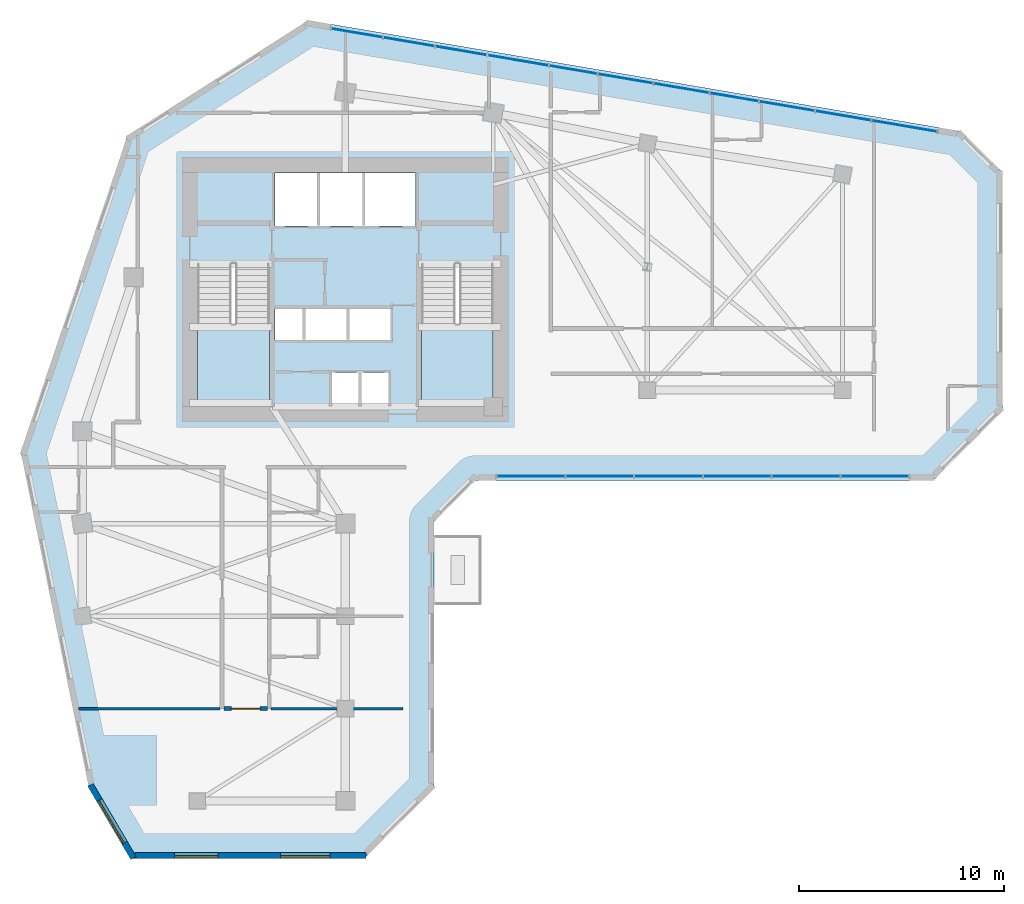
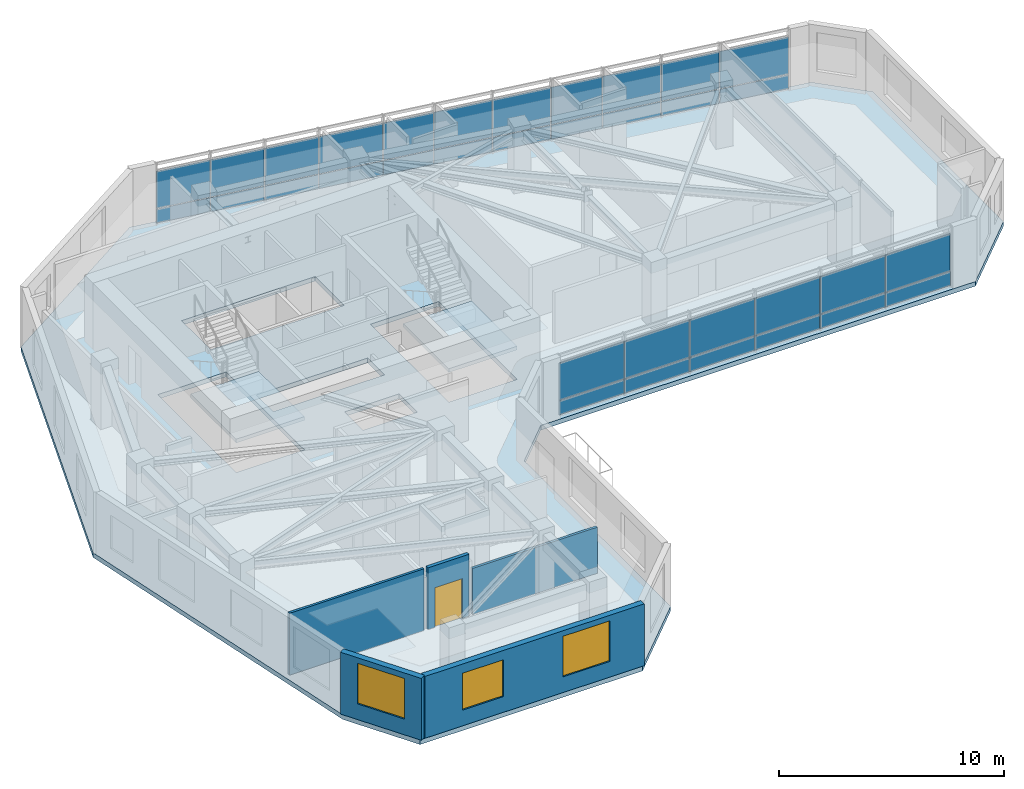
# One storey, part 3 of 10: 34 plates, 5 walls, 3 slabs, 3 windows, 1 door, 4 openings, 4 elements without a shape of their own.
"""IFC4 building model written with IfcOpenShell, lengths in metres."""

import ifcopenshell
import ifcopenshell.guid

model = None  # the IFC model being written
_history = None  # IfcOwnerHistory: only IFC2X3 demands one
_inside = {}  # id of a spatial element -> (the spatial element, [elements in it])
_under = {}  # id of a project, library or spatial element -> (it, [spatial elements below it])
_declared = {}  # id of a project -> (the project, [libraries it declares])
_typed = {}  # id of a type object -> (the type object, [elements of that type])
_made_of = {}  # id of a material, layer set ... -> (it, [elements and type objects made of it])


def new_model(schema):
    """Start an empty IFC model of exactly this schema.

    Asked for "IFC4X3", IfcOpenShell would pick the latest addendum, in which some entities
    have other attributes; the version numbers below select the first issue.
    IFC2X3 requires an IfcOwnerHistory on every rooted entity: one is made here for all.
    """
    global model, _history
    if schema == "IFC4X3":
        model = ifcopenshell.file(schema_version=(4, 3, 0, 0))
    else:
        model = ifcopenshell.file(schema=schema)
    _inside.clear()
    _under.clear()
    _declared.clear()
    _typed.clear()
    _made_of.clear()
    _history = None
    if model.schema == "IFC2X3":
        org = make("IfcOrganization", Name="unknown")
        user = make(
            "IfcPersonAndOrganization",
            ThePerson=make("IfcPerson", FamilyName="unknown"),
            TheOrganization=org,
        )
        app = make(
            "IfcApplication",
            ApplicationDeveloper=org,
            Version="unknown",
            ApplicationFullName="unknown",
            ApplicationIdentifier="unknown",
        )
        _history = make(
            "IfcOwnerHistory",
            OwningUser=user,
            OwningApplication=app,
            ChangeAction="ADDED",
            CreationDate=0,
        )
    return model


def make(cls, **values):
    """One entity of the class cls with the attributes given. An attribute that is None is left unset."""
    return model.create_entity(
        cls, **{name: value for name, value in values.items() if value is not None}
    )


def rooted(cls, **values):
    """An entity with a GlobalId (a new one), such as an element, a storey or a relation."""
    return make(cls, GlobalId=ifcopenshell.guid.new(), OwnerHistory=_history, **values)


def si_unit(unit_type, name, prefix=None):
    """IfcSIUnit, for example si_unit("LENGTHUNIT", "METRE", prefix="MILLI")."""
    return make("IfcSIUnit", UnitType=unit_type, Prefix=prefix, Name=name)


def assignment(units):
    """IfcUnitAssignment: the units of a project."""
    return None if units is None else make("IfcUnitAssignment", Units=units)


def point(xyz):
    """IfcCartesianPoint."""
    return None if xyz is None else make("IfcCartesianPoint", Coordinates=xyz)


def direction(xyz):
    """IfcDirection."""
    return None if xyz is None else make("IfcDirection", DirectionRatios=xyz)


def frame(location, z_axis=None, x_axis=None):
    """IfcAxis2Placement3D, a coordinate frame: its origin and axes. An axis left out is left unset."""
    return make(
        "IfcAxis2Placement3D",
        Location=point(location),
        Axis=direction(z_axis),
        RefDirection=direction(x_axis),
    )


def frame_2d(location, x_axis=None):
    """IfcAxis2Placement2D, a coordinate frame in the plane: its origin and x axis."""
    return make(
        "IfcAxis2Placement2D", Location=point(location), RefDirection=direction(x_axis)
    )


def origin():
    """The frame at (0, 0, 0) with its axes left unset."""
    return frame((0.0, 0.0, 0.0))


def place(relative_to, where):
    """IfcLocalPlacement: puts the frame where relative to a parent placement (None: the world)."""
    return make(
        "IfcLocalPlacement", PlacementRelTo=relative_to, RelativePlacement=where
    )


def context(
    kind, dimensions, precision=None, world=None, true_north=None, identifier=None
):
    """IfcGeometricRepresentationContext, for example the 3D "Model" context."""
    return make(
        "IfcGeometricRepresentationContext",
        ContextIdentifier=identifier,
        ContextType=kind,
        CoordinateSpaceDimension=dimensions,
        Precision=precision,
        WorldCoordinateSystem=world,
        TrueNorth=true_north,
    )


def subcontext(parent, identifier, kind, view, scale=None):
    """IfcGeometricRepresentationSubContext, for example "Body" below "Model"."""
    return make(
        "IfcGeometricRepresentationSubContext",
        ContextIdentifier=identifier,
        ContextType=kind,
        ParentContext=parent,
        TargetScale=scale,
        TargetView=view,
    )


def project(units=None, contexts=None):
    """IfcProject with its units and contexts."""
    return rooted(
        "IfcProject",
        Name="project",
        RepresentationContexts=contexts,
        UnitsInContext=assignment(units),
    )


def spatial(cls, under=None, at=None, **own):
    """A site, building, storey or space (cls), placed at a placement, below another one or the project."""
    s = rooted(cls, ObjectPlacement=at, **own)
    if under is not None:
        _under.setdefault(under.id(), (under, []))[1].append(s)
    return s


def polyline(points):
    """IfcPolyline through the points."""
    return make("IfcPolyline", Points=[point(p) for p in points])


def profile(cls, at=None, kind="AREA", **sizes):
    """A parametric profile (cls). Its sizes go by their IFC names, for example OverallWidth=200.0."""
    return make(cls, ProfileType=kind, Position=at, **sizes)


def rectangle(**sizes):
    """IfcRectangleProfileDef."""
    return profile("IfcRectangleProfileDef", **sizes)


def outline(outer, holes=None, kind="AREA"):
    """IfcArbitraryClosedProfileDef: a profile drawn as a closed curve; with holes, ...WithVoids."""
    if holes is None:
        return make("IfcArbitraryClosedProfileDef", ProfileType=kind, OuterCurve=outer)
    return make(
        "IfcArbitraryProfileDefWithVoids",
        ProfileType=kind,
        OuterCurve=outer,
        InnerCurves=holes,
    )


def extrude(swept, where, along, depth):
    """IfcExtrudedAreaSolid: the profile swept, set in the frame where, extruded along a direction by depth."""
    return make(
        "IfcExtrudedAreaSolid",
        SweptArea=swept,
        Position=where,
        ExtrudedDirection=direction(along),
        Depth=depth,
    )


def shape(context_of_items, identifier, shape_type, items):
    """IfcShapeRepresentation: the items that make up one representation, for example the "Body"."""
    return make(
        "IfcShapeRepresentation",
        ContextOfItems=context_of_items,
        RepresentationIdentifier=identifier,
        RepresentationType=shape_type,
        Items=items,
    )


def source(mapping_origin, context_of_items, identifier, shape_type, items):
    """IfcRepresentationMap: a shape defined once, which mapped items show again and again."""
    return make(
        "IfcRepresentationMap",
        MappingOrigin=mapping_origin,
        MappedRepresentation=shape(context_of_items, identifier, shape_type, items),
    )


def transform(
    local_origin,
    x_axis=None,
    y_axis=None,
    z_axis=None,
    scale=None,
    scale2=None,
    scale3=None,
    uniform=True,
):
    """IfcCartesianTransformationOperator3D, or its non-uniform kind. x_axis, y_axis, z_axis: its Axis1, 2, 3."""
    if uniform:
        return make(
            "IfcCartesianTransformationOperator3D",
            Axis1=direction(x_axis),
            Axis2=direction(y_axis),
            LocalOrigin=point(local_origin),
            Scale=scale,
            Axis3=direction(z_axis),
        )
    return make(
        "IfcCartesianTransformationOperator3DnonUniform",
        Axis1=direction(x_axis),
        Axis2=direction(y_axis),
        LocalOrigin=point(local_origin),
        Scale=scale,
        Axis3=direction(z_axis),
        Scale2=scale2,
        Scale3=scale3,
    )


def mapped(mapping_source, mapping_target):
    """IfcMappedItem: shows the shape of a source again, moved by a transform."""
    return make(
        "IfcMappedItem", MappingSource=mapping_source, MappingTarget=mapping_target
    )


def material(Name=None, Category=None):
    """IfcMaterial."""
    return make("IfcMaterial", Name=Name, Category=Category)


def layer(
    of_material, thickness, ventilated=None, Name=None, Category=None, Priority=None
):
    """IfcMaterialLayer: one layer of a wall or slab, of a material (None: an air gap)."""
    return make(
        "IfcMaterialLayer",
        Material=of_material,
        LayerThickness=thickness,
        IsVentilated=ventilated,
        Name=Name,
        Category=Category,
        Priority=Priority,
    )


def layer_set(layers, Name=None):
    """IfcMaterialLayerSet."""
    return make("IfcMaterialLayerSet", MaterialLayers=layers, LayerSetName=Name)


def made_of(thing, what):
    """Note that an element or type object is made of a material, layer set ...; save() writes the relation."""
    if what is not None:
        _made_of.setdefault(what.id(), (what, []))[1].append(thing)
    return thing


def type_object(cls, material=None, **own):
    """A type object (cls), such as IfcWallType, which elements share."""
    return made_of(rooted(cls, **own), material)


def element(
    cls,
    number,
    at=None,
    inside=None,
    cuts=None,
    type_object=None,
    material=None,
    context=None,
    identifier="Body",
    shape_type=None,
    held_by="IfcProductDefinitionShape",
    body=None,
    shapes=None,
    **own,
):
    """One element of the class cls, such as IfcWall. Its Tag is "e" and its number.

    at: its placement. inside: the storey or other place that contains it. cuts: it is an
    opening in that element (IfcRelVoidsElement). A single representation is given by context,
    identifier, shape_type and body (its items); several are given by shapes. held_by: the class
    of the entity that holds the representations. save() writes the other relations.
    """
    e = rooted(cls, Tag="e%d" % number, ObjectPlacement=at, **own)
    if body is not None:
        shapes = [shape(context, identifier, shape_type, body)]
    if shapes is not None:
        e.Representation = make(held_by, Representations=shapes)
    if inside is not None:
        _inside.setdefault(inside.id(), (inside, []))[1].append(e)
    if cuts is not None:
        rooted(
            "IfcRelVoidsElement", RelatingBuildingElement=cuts, RelatedOpeningElement=e
        )
    if type_object is not None:
        _typed.setdefault(type_object.id(), (type_object, []))[1].append(e)
    return made_of(e, material)


def fill(opening, filler):
    """IfcRelFillsElement: the door or window that sits in an opening."""
    return rooted(
        "IfcRelFillsElement",
        RelatingOpeningElement=opening,
        RelatedBuildingElement=filler,
    )


def aggregate(whole, parts):
    """IfcRelAggregates: a whole, such as a stair, and the parts it consists of."""
    return rooted("IfcRelAggregates", RelatingObject=whole, RelatedObjects=parts)


def save(model, path):
    """Write the relations noted so far, then the file.

    IfcRelAggregates (storeys below a building ...), IfcRelContainedInSpatialStructure (elements
    in a storey), IfcRelDefinesByType, IfcRelAssociatesMaterial and IfcRelDeclares: one each for
    every whole, place, type object, material and project.
    """
    for whole, parts in _under.values():
        aggregate(whole, parts)
    for where, things in _inside.values():
        rooted(
            "IfcRelContainedInSpatialStructure",
            RelatedElements=things,
            RelatingStructure=where,
        )
    for kind, things in _typed.values():
        rooted("IfcRelDefinesByType", RelatedObjects=things, RelatingType=kind)
    for what, things in _made_of.values():
        rooted("IfcRelAssociatesMaterial", RelatedObjects=things, RelatingMaterial=what)
    for by, libraries in _declared.values():
        rooted("IfcRelDeclares", RelatingContext=by, RelatedDefinitions=libraries)
    model.write(path)


model = new_model("IFC4")

# Units and contexts
model_context = context("Model", 3, precision=1e-05, world=origin(), true_north=direction((0.0, 1.0)))
body_context = subcontext(model_context, "Body", "Model", "MODEL_VIEW")
ifc_project = project(units=[si_unit("LENGTHUNIT", "METRE"), si_unit("AREAUNIT", "SQUARE_METRE"), si_unit("VOLUMEUNIT", "CUBIC_METRE"), si_unit("PLANEANGLEUNIT", "RADIAN"), si_unit("MASSUNIT", "GRAM", prefix="KILO")], contexts=[model_context])

# Site, building, storey
site_placement = place(None, origin())
site = spatial("IfcSite", under=ifc_project, at=site_placement, CompositionType="ELEMENT")
building_placement = place(site_placement, origin())
building = spatial("IfcBuilding", under=site, at=building_placement, Name="Calvemar Wedge Station Tower", CompositionType="ELEMENT")
storey_placement = place(building_placement, frame((0.0, 0.0, 150.199951171875)))
storey = spatial("IfcBuildingStorey", under=building, at=storey_placement, Name="L37", CompositionType="ELEMENT", Elevation=150.199951171875)

# Curtain wall, plates
ifc_material_1 = material(Name="Anodised aluminium 6063-T6", Category="aluminium")
curtain_wall_type = type_object("IfcCurtainWallType", Name="CW2", PredefinedType="NOTDEFINED", material=ifc_material_1)
curtain_wall_1_placement = place(storey_placement, origin())
curtain_wall_1 = element("IfcCurtainWall", 1, at=curtain_wall_1_placement, inside=storey, type_object=curtain_wall_type, Name="Storey L37 CW2 Recessed Unitised Curtain Wall 6", PredefinedType="NOTDEFINED")
ifc_material_2 = material(Name="Low-E laminated insulated glass", Category="glass")
ifc_layer_1 = layer(ifc_material_2, 0.028076171875)
ifc_layer_set_1 = layer_set([ifc_layer_1], Name="Low-E laminated insulated glass")
plate_type_1 = type_object("IfcPlateType", Name="CW2-GLZ", PredefinedType="CURTAIN_PANEL", material=ifc_layer_set_1)
plate_1_placement = place(storey_placement, frame((31.183837890625, 30.802001953125, 0.8701171875), z_axis=(0.0, 0.0, 1.0), x_axis=(1.0, 0.0, 0.0)))
plate_1 = element("IfcPlate", 2, at=plate_1_placement, type_object=plate_type_1, Name="CW2 vision glass panel 1", PredefinedType="CURTAIN_PANEL", context=body_context, shape_type="SweptSolid", body=[
    extrude(rectangle(XDim=3.309326171875, YDim=0.028076171875, at=frame_2d((1.65478515625, 0.0))), origin(), (0.0, 0.0, 1.0), 2.010009765625),
])
plate_2_placement = place(storey_placement, frame((34.529296875, 30.802001953125, 0.8701171875), z_axis=(0.0, 0.0, 1.0), x_axis=(1.0, 0.0, 0.0)))
plate_2 = element("IfcPlate", 3, at=plate_2_placement, type_object=plate_type_1, Name="CW2 vision glass panel 2", PredefinedType="CURTAIN_PANEL", context=body_context, shape_type="SweptSolid", body=[
    extrude(rectangle(XDim=3.309326171875, YDim=0.028076171875, at=frame_2d((1.65478515625, 0.0))), origin(), (0.0, 0.0, 1.0), 2.010009765625),
])
plate_3_placement = place(storey_placement, frame((37.87451171875, 30.802001953125, 0.8701171875), z_axis=(0.0, 0.0, 1.0), x_axis=(1.0, 0.0, 0.0)))
plate_3 = element("IfcPlate", 4, at=plate_3_placement, type_object=plate_type_1, Name="CW2 vision glass panel 3", PredefinedType="CURTAIN_PANEL", context=body_context, shape_type="SweptSolid", body=[
    extrude(rectangle(XDim=3.309326171875, YDim=0.028076171875, at=frame_2d((1.65478515625, 0.0))), origin(), (0.0, 0.0, 1.0), 2.010009765625),
])
plate_4_placement = place(storey_placement, frame((41.219970703125, 30.802001953125, 0.8701171875), z_axis=(0.0, 0.0, 1.0), x_axis=(1.0, 0.0, 0.0)))
plate_4 = element("IfcPlate", 5, at=plate_4_placement, type_object=plate_type_1, Name="CW2 vision glass panel 4", PredefinedType="CURTAIN_PANEL", context=body_context, shape_type="SweptSolid", body=[
    extrude(rectangle(XDim=3.309326171875, YDim=0.028076171875, at=frame_2d((1.65478515625, 0.0))), origin(), (0.0, 0.0, 1.0), 2.010009765625),
])
plate_5_placement = place(storey_placement, frame((44.565185546875, 30.802001953125, 0.8701171875), z_axis=(0.0, 0.0, 1.0), x_axis=(1.0, 0.0, 0.0)))
plate_5 = element("IfcPlate", 6, at=plate_5_placement, type_object=plate_type_1, Name="CW2 vision glass panel 5", PredefinedType="CURTAIN_PANEL", context=body_context, shape_type="SweptSolid", body=[
    extrude(rectangle(XDim=3.309326171875, YDim=0.028076171875, at=frame_2d((1.65478515625, 0.0))), origin(), (0.0, 0.0, 1.0), 2.010009765625),
])
plate_6_placement = place(storey_placement, frame((47.91064453125, 30.802001953125, 0.8701171875), z_axis=(0.0, 0.0, 1.0), x_axis=(1.0, 0.0, 0.0)))
plate_6 = element("IfcPlate", 7, at=plate_6_placement, type_object=plate_type_1, Name="CW2 vision glass panel 6", PredefinedType="CURTAIN_PANEL", context=body_context, shape_type="SweptSolid", body=[
    extrude(rectangle(XDim=3.309326171875, YDim=0.028076171875, at=frame_2d((1.65478515625, 0.0))), origin(), (0.0, 0.0, 1.0), 2.010009765625),
])

curtain_wall_2_placement = place(storey_placement, origin())
curtain_wall_2 = element("IfcCurtainWall", 8, at=curtain_wall_2_placement, inside=storey, type_object=curtain_wall_type, Name="Storey L37 CW2 Recessed Unitised Curtain Wall 10", PredefinedType="NOTDEFINED")
plate_7_placement = place(storey_placement, frame((52.615478515625, 47.580322265625, 0.8701171875), z_axis=(0.0, 0.0, 1.0), x_axis=(-0.985833907649, 0.167724495916, 0.0)))
plate_7 = element("IfcPlate", 9, at=plate_7_placement, type_object=plate_type_1, Name="CW2 vision glass panel 1", PredefinedType="CURTAIN_PANEL", context=body_context, shape_type="SweptSolid", body=[
    extrude(rectangle(XDim=3.2373046875, YDim=0.028076171875, at=frame_2d((1.61865234375, 0.0))), origin(), (0.0, 0.0, 1.0), 2.010009765625),
])
plate_8_placement = place(storey_placement, frame((49.388427734375, 48.129150390625, 0.8701171875), z_axis=(0.0, 0.0, 1.0), x_axis=(-0.985841253523, 0.167681313365, 0.0)))
plate_8 = element("IfcPlate", 10, at=plate_8_placement, type_object=plate_type_1, Name="CW2 vision glass panel 2", PredefinedType="CURTAIN_PANEL", context=body_context, shape_type="SweptSolid", body=[
    extrude(rectangle(XDim=2.7373046875, YDim=0.028076171875, at=frame_2d((1.36865234375, 0.0))), origin(), (0.0, 0.0, 1.0), 2.010009765625),
])
plate_9_placement = place(storey_placement, frame((46.654541015625, 48.59423828125, 0.8701171875), z_axis=(0.0, 0.0, 1.0), x_axis=(-0.985855994039, 0.167594627051, 0.0)))
plate_9 = element("IfcPlate", 11, at=plate_9_placement, type_object=plate_type_1, Name="CW2 vision glass panel 3", PredefinedType="CURTAIN_PANEL", context=body_context, shape_type="SweptSolid", body=[
    extrude(rectangle(XDim=2.7373046875, YDim=0.028076171875, at=frame_2d((1.36865234375, 0.0))), origin(), (0.0, 0.0, 1.0), 2.010009765625),
])
plate_10_placement = place(storey_placement, frame((43.92041015625, 49.05908203125, 0.8701171875), z_axis=(0.0, 0.0, 1.0), x_axis=(-0.985846595031, 0.167649906248, 0.0)))
plate_10 = element("IfcPlate", 12, at=plate_10_placement, type_object=plate_type_1, Name="CW2 vision glass panel 4", PredefinedType="CURTAIN_PANEL", context=body_context, shape_type="SweptSolid", body=[
    extrude(rectangle(XDim=2.3984375, YDim=0.028076171875, at=frame_2d((1.19921875, 0.0))), origin(), (0.0, 0.0, 1.0), 2.010009765625),
])
plate_11_placement = place(storey_placement, frame((41.5205078125, 49.46728515625, 0.8701171875), z_axis=(0.0, 0.0, 1.0), x_axis=(-0.985850982189, 0.167624106012, 0.0)))
plate_11 = element("IfcPlate", 13, at=plate_11_placement, type_object=plate_type_1, Name="CW2 vision glass panel 5", PredefinedType="CURTAIN_PANEL", context=body_context, shape_type="SweptSolid", body=[
    extrude(rectangle(XDim=2.73681640625, YDim=0.028076171875, at=frame_2d((1.368408203125, 0.0))), origin(), (0.0, 0.0, 1.0), 2.010009765625),
])
plate_12_placement = place(storey_placement, frame((38.786865234375, 49.93212890625, 0.8701171875), z_axis=(0.0, 0.0, 1.0), x_axis=(-0.985836236562, 0.167710806691, 0.0)))
plate_12 = element("IfcPlate", 14, at=plate_12_placement, type_object=plate_type_1, Name="CW2 vision glass panel 6", PredefinedType="CURTAIN_PANEL", context=body_context, shape_type="SweptSolid", body=[
    extrude(rectangle(XDim=2.73681640625, YDim=0.028076171875, at=frame_2d((1.368408203125, 0.0))), origin(), (0.0, 0.0, 1.0), 2.010009765625),
])
plate_13_placement = place(storey_placement, frame((36.053466796875, 50.39697265625, 0.8701171875), z_axis=(0.0, 0.0, 1.0), x_axis=(-0.985834995833, 0.167718099774, 0.0)))
plate_13 = element("IfcPlate", 15, at=plate_13_placement, type_object=plate_type_1, Name="CW2 vision glass panel 7", PredefinedType="CURTAIN_PANEL", context=body_context, shape_type="SweptSolid", body=[
    extrude(rectangle(XDim=2.361083984375, YDim=0.028076171875, at=frame_2d((1.1806640625, 0.0))), origin(), (0.0, 0.0, 1.0), 2.010009765625),
])
plate_14_placement = place(storey_placement, frame((33.6904296875, 50.798828125, 0.8701171875), z_axis=(0.0, 0.0, 1.0), x_axis=(-0.985846589489, 0.167649938837, 0.0)))
plate_14 = element("IfcPlate", 16, at=plate_14_placement, type_object=plate_type_1, Name="CW2 vision glass panel 8", PredefinedType="CURTAIN_PANEL", context=body_context, shape_type="SweptSolid", body=[
    extrude(rectangle(XDim=3.007080078125, YDim=0.028076171875, at=frame_2d((1.50341796875, 0.0))), origin(), (0.0, 0.0, 1.0), 2.010009765625),
])
plate_15_placement = place(storey_placement, frame((30.6904296875, 51.30908203125, 0.8701171875), z_axis=(0.0, 0.0, 1.0), x_axis=(-0.985852344868, 0.167616091467, 0.0)))
plate_15 = element("IfcPlate", 17, at=plate_15_placement, type_object=plate_type_1, Name="CW2 vision glass panel 9", PredefinedType="CURTAIN_PANEL", context=body_context, shape_type="SweptSolid", body=[
    extrude(rectangle(XDim=2.534423828125, YDim=0.028076171875, at=frame_2d((1.26708984375, 0.0))), origin(), (0.0, 0.0, 1.0), 2.010009765625),
])
plate_16_placement = place(storey_placement, frame((28.156494140625, 51.739990234375, 0.8701171875), z_axis=(0.0, 0.0, 1.0), x_axis=(-0.985852344868, 0.167616091467, 0.0)))
plate_16 = element("IfcPlate", 18, at=plate_16_placement, type_object=plate_type_1, Name="CW2 vision glass panel 10", PredefinedType="CURTAIN_PANEL", context=body_context, shape_type="SweptSolid", body=[
    extrude(rectangle(XDim=2.534423828125, YDim=0.028076171875, at=frame_2d((1.26708984375, 0.0))), origin(), (0.0, 0.0, 1.0), 2.010009765625),
])
plate_17_placement = place(storey_placement, frame((25.622314453125, 52.1708984375, 0.8701171875), z_axis=(0.0, 0.0, 1.0), x_axis=(-0.985833712673, 0.16772564192, 0.0)))
plate_17 = element("IfcPlate", 19, at=plate_17_placement, type_object=plate_type_1, Name="CW2 vision glass panel 11", PredefinedType="CURTAIN_PANEL", context=body_context, shape_type="SweptSolid", body=[
    extrude(rectangle(XDim=2.5341796875, YDim=0.028076171875, at=frame_2d((1.26708984375, 0.0))), origin(), (0.0, 0.0, 1.0), 2.010009765625),
])

# Plate
ifc_material_3 = material(Name="Oxidized bronze aluminium spandrel panel 5005-H24", Category="aluminium")
ifc_layer_2 = layer(ifc_material_3, 0.0400390625)
ifc_layer_set_2 = layer_set([ifc_layer_2], Name="Oxidized bronze aluminium spandrel panel 5005-H24")
plate_type_2 = type_object("IfcPlateType", Name="CW2-SPD", PredefinedType="SHEET", material=ifc_layer_set_2)
plate_18_placement = place(storey_placement, frame((31.183837890625, 30.802001953125, 0.080078125), z_axis=(0.0, 0.0, 1.0), x_axis=(1.0, 0.0, 0.0)))
plate_18 = element("IfcPlate", 20, at=plate_18_placement, type_object=plate_type_2, Name="CW2 bronze spandrel panel 1", PredefinedType="SHEET", context=body_context, shape_type="SweptSolid", body=[
    extrude(rectangle(XDim=3.309326171875, YDim=0.0400390625, at=frame_2d((1.65478515625, 0.0))), origin(), (0.0, 0.0, 1.0), 0.75),
])

plate_19_placement = place(storey_placement, frame((34.529296875, 30.802001953125, 0.080078125), z_axis=(0.0, 0.0, 1.0), x_axis=(1.0, 0.0, 0.0)))
plate_19 = element("IfcPlate", 21, at=plate_19_placement, type_object=plate_type_2, Name="CW2 bronze spandrel panel 2", PredefinedType="SHEET", context=body_context, shape_type="SweptSolid", body=[
    extrude(rectangle(XDim=3.309326171875, YDim=0.0400390625, at=frame_2d((1.65478515625, 0.0))), origin(), (0.0, 0.0, 1.0), 0.75),
])

plate_20_placement = place(storey_placement, frame((37.87451171875, 30.802001953125, 0.080078125), z_axis=(0.0, 0.0, 1.0), x_axis=(1.0, 0.0, 0.0)))
plate_20 = element("IfcPlate", 22, at=plate_20_placement, type_object=plate_type_2, Name="CW2 bronze spandrel panel 3", PredefinedType="SHEET", context=body_context, shape_type="SweptSolid", body=[
    extrude(rectangle(XDim=3.309326171875, YDim=0.0400390625, at=frame_2d((1.65478515625, 0.0))), origin(), (0.0, 0.0, 1.0), 0.75),
])

plate_21_placement = place(storey_placement, frame((41.219970703125, 30.802001953125, 0.080078125), z_axis=(0.0, 0.0, 1.0), x_axis=(1.0, 0.0, 0.0)))
plate_21 = element("IfcPlate", 23, at=plate_21_placement, type_object=plate_type_2, Name="CW2 bronze spandrel panel 4", PredefinedType="SHEET", context=body_context, shape_type="SweptSolid", body=[
    extrude(rectangle(XDim=3.309326171875, YDim=0.0400390625, at=frame_2d((1.65478515625, 0.0))), origin(), (0.0, 0.0, 1.0), 0.75),
])

plate_22_placement = place(storey_placement, frame((44.565185546875, 30.802001953125, 0.080078125), z_axis=(0.0, 0.0, 1.0), x_axis=(1.0, 0.0, 0.0)))
plate_22 = element("IfcPlate", 24, at=plate_22_placement, type_object=plate_type_2, Name="CW2 bronze spandrel panel 5", PredefinedType="SHEET", context=body_context, shape_type="SweptSolid", body=[
    extrude(rectangle(XDim=3.309326171875, YDim=0.0400390625, at=frame_2d((1.65478515625, 0.0))), origin(), (0.0, 0.0, 1.0), 0.75),
])

plate_23_placement = place(storey_placement, frame((47.91064453125, 30.802001953125, 0.080078125), z_axis=(0.0, 0.0, 1.0), x_axis=(1.0, 0.0, 0.0)))
plate_23 = element("IfcPlate", 25, at=plate_23_placement, type_object=plate_type_2, Name="CW2 bronze spandrel panel 6", PredefinedType="SHEET", context=body_context, shape_type="SweptSolid", body=[
    extrude(rectangle(XDim=3.309326171875, YDim=0.0400390625, at=frame_2d((1.65478515625, 0.0))), origin(), (0.0, 0.0, 1.0), 0.75),
])

aggregate(curtain_wall_1, [plate_18, plate_1, plate_19, plate_2, plate_20, plate_3, plate_21, plate_4, plate_22, plate_5, plate_23, plate_6])

plate_24_placement = place(storey_placement, frame((52.615478515625, 47.580322265625, 0.080078125), z_axis=(0.0, 0.0, 1.0), x_axis=(-0.985833907649, 0.167724495916, 0.0)))
plate_24 = element("IfcPlate", 26, at=plate_24_placement, type_object=plate_type_2, Name="CW2 bronze spandrel panel 1", PredefinedType="SHEET", context=body_context, shape_type="SweptSolid", body=[
    extrude(rectangle(XDim=3.2373046875, YDim=0.0400390625, at=frame_2d((1.61865234375, 0.0))), origin(), (0.0, 0.0, 1.0), 0.75),
])

plate_25_placement = place(storey_placement, frame((49.388427734375, 48.129150390625, 0.080078125), z_axis=(0.0, 0.0, 1.0), x_axis=(-0.985841253523, 0.167681313365, 0.0)))
plate_25 = element("IfcPlate", 27, at=plate_25_placement, type_object=plate_type_2, Name="CW2 bronze spandrel panel 2", PredefinedType="SHEET", context=body_context, shape_type="SweptSolid", body=[
    extrude(rectangle(XDim=2.7373046875, YDim=0.0400390625, at=frame_2d((1.36865234375, 0.0))), origin(), (0.0, 0.0, 1.0), 0.75),
])

plate_26_placement = place(storey_placement, frame((46.654541015625, 48.59423828125, 0.080078125), z_axis=(0.0, 0.0, 1.0), x_axis=(-0.985855994039, 0.167594627051, 0.0)))
plate_26 = element("IfcPlate", 28, at=plate_26_placement, type_object=plate_type_2, Name="CW2 bronze spandrel panel 3", PredefinedType="SHEET", context=body_context, shape_type="SweptSolid", body=[
    extrude(rectangle(XDim=2.7373046875, YDim=0.0400390625, at=frame_2d((1.36865234375, 0.0))), origin(), (0.0, 0.0, 1.0), 0.75),
])

plate_27_placement = place(storey_placement, frame((43.92041015625, 49.05908203125, 0.080078125), z_axis=(0.0, 0.0, 1.0), x_axis=(-0.985846595031, 0.167649906248, 0.0)))
plate_27 = element("IfcPlate", 29, at=plate_27_placement, type_object=plate_type_2, Name="CW2 bronze spandrel panel 4", PredefinedType="SHEET", context=body_context, shape_type="SweptSolid", body=[
    extrude(rectangle(XDim=2.3984375, YDim=0.0400390625, at=frame_2d((1.19921875, 0.0))), origin(), (0.0, 0.0, 1.0), 0.75),
])

plate_28_placement = place(storey_placement, frame((41.5205078125, 49.46728515625, 0.080078125), z_axis=(0.0, 0.0, 1.0), x_axis=(-0.985850982189, 0.167624106012, 0.0)))
plate_28 = element("IfcPlate", 30, at=plate_28_placement, type_object=plate_type_2, Name="CW2 bronze spandrel panel 5", PredefinedType="SHEET", context=body_context, shape_type="SweptSolid", body=[
    extrude(rectangle(XDim=2.73681640625, YDim=0.0400390625, at=frame_2d((1.368408203125, 0.0))), origin(), (0.0, 0.0, 1.0), 0.75),
])

plate_29_placement = place(storey_placement, frame((38.786865234375, 49.93212890625, 0.080078125), z_axis=(0.0, 0.0, 1.0), x_axis=(-0.985836236562, 0.167710806691, 0.0)))
plate_29 = element("IfcPlate", 31, at=plate_29_placement, type_object=plate_type_2, Name="CW2 bronze spandrel panel 6", PredefinedType="SHEET", context=body_context, shape_type="SweptSolid", body=[
    extrude(rectangle(XDim=2.73681640625, YDim=0.0400390625, at=frame_2d((1.368408203125, 0.0))), origin(), (0.0, 0.0, 1.0), 0.75),
])

plate_30_placement = place(storey_placement, frame((36.053466796875, 50.39697265625, 0.080078125), z_axis=(0.0, 0.0, 1.0), x_axis=(-0.985834995833, 0.167718099774, 0.0)))
plate_30 = element("IfcPlate", 32, at=plate_30_placement, type_object=plate_type_2, Name="CW2 bronze spandrel panel 7", PredefinedType="SHEET", context=body_context, shape_type="SweptSolid", body=[
    extrude(rectangle(XDim=2.361083984375, YDim=0.0400390625, at=frame_2d((1.1806640625, 0.0))), origin(), (0.0, 0.0, 1.0), 0.75),
])

plate_31_placement = place(storey_placement, frame((33.6904296875, 50.798828125, 0.080078125), z_axis=(0.0, 0.0, 1.0), x_axis=(-0.985846589489, 0.167649938837, 0.0)))
plate_31 = element("IfcPlate", 33, at=plate_31_placement, type_object=plate_type_2, Name="CW2 bronze spandrel panel 8", PredefinedType="SHEET", context=body_context, shape_type="SweptSolid", body=[
    extrude(rectangle(XDim=3.007080078125, YDim=0.0400390625, at=frame_2d((1.50341796875, 0.0))), origin(), (0.0, 0.0, 1.0), 0.75),
])

plate_32_placement = place(storey_placement, frame((30.6904296875, 51.30908203125, 0.080078125), z_axis=(0.0, 0.0, 1.0), x_axis=(-0.985852344868, 0.167616091467, 0.0)))
plate_32 = element("IfcPlate", 34, at=plate_32_placement, type_object=plate_type_2, Name="CW2 bronze spandrel panel 9", PredefinedType="SHEET", context=body_context, shape_type="SweptSolid", body=[
    extrude(rectangle(XDim=2.534423828125, YDim=0.0400390625, at=frame_2d((1.26708984375, 0.0))), origin(), (0.0, 0.0, 1.0), 0.75),
])

plate_33_placement = place(storey_placement, frame((28.156494140625, 51.739990234375, 0.080078125), z_axis=(0.0, 0.0, 1.0), x_axis=(-0.985852344868, 0.167616091467, 0.0)))
plate_33 = element("IfcPlate", 35, at=plate_33_placement, type_object=plate_type_2, Name="CW2 bronze spandrel panel 10", PredefinedType="SHEET", context=body_context, shape_type="SweptSolid", body=[
    extrude(rectangle(XDim=2.534423828125, YDim=0.0400390625, at=frame_2d((1.26708984375, 0.0))), origin(), (0.0, 0.0, 1.0), 0.75),
])

plate_34_placement = place(storey_placement, frame((25.622314453125, 52.1708984375, 0.080078125), z_axis=(0.0, 0.0, 1.0), x_axis=(-0.985833712673, 0.16772564192, 0.0)))
plate_34 = element("IfcPlate", 36, at=plate_34_placement, type_object=plate_type_2, Name="CW2 bronze spandrel panel 11", PredefinedType="SHEET", context=body_context, shape_type="SweptSolid", body=[
    extrude(rectangle(XDim=2.5341796875, YDim=0.0400390625, at=frame_2d((1.26708984375, 0.0))), origin(), (0.0, 0.0, 1.0), 0.75),
])

aggregate(curtain_wall_2, [plate_24, plate_7, plate_25, plate_8, plate_26, plate_9, plate_27, plate_10, plate_28, plate_11, plate_29, plate_12, plate_30, plate_13, plate_31, plate_14, plate_32, plate_15, plate_33, plate_16, plate_34, plate_17])

# Stair, slab
ifc_material_4 = material(Name="Concrete C45", Category="concrete")
stair_type = type_object("IfcStairType", Name="ST-TYPE-3600", PredefinedType="HALF_TURN_STAIR", material=ifc_material_4)
stair_1_placement = place(storey_placement, origin())
stair_1 = element("IfcStair", 37, at=stair_1_placement, inside=storey, type_object=stair_type, Name="L37 Pressurized Core Exit Stair ST-C1", PredefinedType="HALF_TURN_STAIR")
ifc_layer_3 = layer(ifc_material_4, 0.199951171875)
ifc_layer_set_3 = layer_set([ifc_layer_3], Name="Concrete C45")
slab_type_1 = type_object("IfcSlabType", Name="SL-STAIR-LND-200", PredefinedType="LANDING", material=ifc_layer_set_3)
slab_1_placement = place(storey_placement, frame((0.0, 0.0, 1.60009765625)))
slab_1 = element("IfcSlab", 38, at=slab_1_placement, type_object=slab_type_1, Name="ST-C1 landing 1", PredefinedType="LANDING", context=body_context, shape_type="SweptSolid", body=[
    extrude(outline(polyline([(16.60009765625, 38.25), (16.60009765625, 34.199951171875), (20.10009765625, 34.199951171875), (20.10009765625, 38.25), (16.60009765625, 38.25)])), origin(), (0.0, 0.0, 1.0), 0.199951171875),
])
aggregate(stair_1, [slab_1])

stair_2_placement = place(storey_placement, origin())
stair_2 = element("IfcStair", 39, at=stair_2_placement, inside=storey, type_object=stair_type, Name="L37 Pressurized Core Exit Stair ST-C2", PredefinedType="HALF_TURN_STAIR")
slab_2_placement = place(storey_placement, frame((0.0, 0.0, 1.60009765625)))
slab_2 = element("IfcSlab", 40, at=slab_2_placement, type_object=slab_type_1, Name="ST-C2 landing 1", PredefinedType="LANDING", context=body_context, shape_type="SweptSolid", body=[
    extrude(outline(polyline([(27.5, 38.25), (27.5, 34.199951171875), (31.0, 34.199951171875), (31.0, 38.25), (27.5, 38.25)])), origin(), (0.0, 0.0, 1.0), 0.199951171875),
])
aggregate(stair_2, [slab_2])

# Slab
ifc_material_5 = material(Name="Concrete C50", Category="concrete")
ifc_layer_4 = layer(ifc_material_5, 0.25)
ifc_layer_set_4 = layer_set([ifc_layer_4], Name="Concrete C50")
slab_type_2 = type_object("IfcSlabType", Name="SL-TYP-250", PredefinedType="FLOOR", material=ifc_layer_set_4)
slab_3_placement = place(storey_placement, frame((0.0, 0.0, -0.25)))
element("IfcSlab", 41, at=slab_3_placement, inside=storey, type_object=slab_type_2, Name="Storey L37 Structural Floor Slab", PredefinedType="FLOOR", context=body_context, shape_type="SweptSolid", body=[
    extrude(outline(polyline([(8.0, 32.0), (11.327880859375, 15.60009765625), (13.327880859375, 12.199951171875), (24.72802734375, 12.199951171875), (28.1279296875, 15.60009765625), (28.1279296875, 28.592041015625), (30.1279296875, 30.592041015625), (52.39990234375, 30.592041015625), (55.800048828125, 33.991943359375), (55.800048828125, 45.592041015625), (53.800048828125, 47.592041015625), (22.0, 53.0), (13.199951171875, 47.39990234375), (8.0, 32.0)]), holes=[polyline([(24.52001953125, 35.85009765625), (24.510009765625, 35.85009765625), (23.1201171875, 35.85009765625), (23.1201171875, 34.219970703125), (24.510009765625, 34.219970703125), (24.52001953125, 34.219970703125), (25.909912109375, 34.219970703125), (25.909912109375, 35.85009765625), (24.52001953125, 35.85009765625)]), polyline([(16.60009765625, 34.199951171875), (20.10009765625, 34.199951171875), (20.10009765625, 41.14990234375), (16.60009765625, 41.14990234375), (16.60009765625, 34.199951171875)]), polyline([(27.5, 34.199951171875), (31.0, 34.199951171875), (31.0, 41.14990234375), (27.5, 41.14990234375), (27.5, 34.199951171875)]), polyline([(21.800048828125, 38.949951171875), (21.7900390625, 38.949951171875), (20.3798828125, 38.949951171875), (20.3798828125, 37.449951171875), (21.7900390625, 37.449951171875), (21.800048828125, 37.449951171875), (23.929931640625, 37.449951171875), (23.93994140625, 37.449951171875), (26.080078125, 37.449951171875), (26.080078125, 38.949951171875), (23.93994140625, 38.949951171875), (23.929931640625, 38.949951171875), (21.800048828125, 38.949951171875)]), polyline([(27.219970703125, 43.0), (27.219970703125, 45.580078125), (20.3798828125, 45.580078125), (20.3798828125, 43.0), (27.219970703125, 43.0)])]), origin(), (0.0, 0.0, 1.0), 0.25),
])

# Wall, opening, door
ifc_material_6 = material(Name="Double-stud fire-rated corridor partition")
ifc_layer_5 = layer(ifc_material_6, 0.179931640625)
ifc_layer_set_5 = layer_set([ifc_layer_5], Name="Double-stud fire-rated corridor partition")
wall_type_1 = type_object("IfcWallType", Name="W-CORR-180", PredefinedType="PARTITIONING", material=ifc_layer_set_5)
wall_1_placement = place(storey_placement, frame((20.006103515625, 19.5, 0.0), z_axis=(0.0, 0.0, 1.0), x_axis=(-1.0, 0.0, 0.0)))
wall_1 = element("IfcWall", 42, at=wall_1_placement, inside=storey, type_object=wall_type_1, Name="Storey L37 Interior Partition WL-L37-038", PredefinedType="PARTITIONING", context=body_context, shape_type="SweptSolid", body=[
    extrude(rectangle(XDim=2.112060546875, YDim=0.179931640625, at=frame_2d((1.05615234375, 0.0))), origin(), (0.0, 0.0, 1.0), 3.35009765625),
])
shared_shape_1 = source(origin(), body_context, "Body", "SweptSolid", [
    extrude(rectangle(XDim=1.39990234375, YDim=2.14990234375, at=frame_2d((0.699951171875, 1.074951171875))), frame((0.0, 0.10009765625, 0.0), z_axis=(0.0, -1.0, 0.0), x_axis=(1.0, 0.0, 0.0)), (0.0, 0.0, 1.0), 0.199951171875),
])
opening_1_placement = place(wall_1_placement, frame((0.35595703125, 0.0, 0.0)))
opening_1 = element("IfcOpeningElement", 43, at=opening_1_placement, cuts=wall_1, Name="Opening DD-140", PredefinedType="OPENING", context=body_context, shape_type="MappedRepresentation", body=[
    mapped(shared_shape_1, transform((0.0, 0.0, 0.0), scale=1.0)),
])
ifc_material_7 = material(Name="Double-leaf corridor acoustic fire door EI 60")
door_type = type_object("IfcDoorType", Name="DR-DBL-1400", OperationType="DOUBLE_DOOR_SINGLE_SWING", PredefinedType="DOOR", material=ifc_material_7)
shared_shape_2 = source(origin(), body_context, "Body", "SweptSolid", [
    extrude(rectangle(XDim=1.39990234375, YDim=2.14990234375, at=frame_2d((0.699951171875, 1.074951171875))), frame((0.0, 0.02490234375, 0.0), z_axis=(0.0, -1.0, 0.0), x_axis=(1.0, 0.0, 0.0)), (0.0, 0.0, 1.0), 0.050048828125),
])
door_placement = place(opening_1_placement, origin())
door = element("IfcDoor", 44, at=door_placement, inside=storey, type_object=door_type, Name="L37 Hotel Terrace Dining Room Door", OperationType="SINGLE_SWING_RIGHT", OverallHeight=2.14990234375, OverallWidth=1.39990234375, PredefinedType="DOOR", context=body_context, shape_type="MappedRepresentation", body=[
    mapped(shared_shape_2, transform((0.0, 0.0, 0.0), scale=1.0)),
])
fill(opening_1, door)

# Wall, opening, window
ifc_material_8 = material(Name="Precast concrete C45", Category="concrete")
ifc_layer_6 = layer(ifc_material_8, 0.300048828125)
ifc_layer_set_6 = layer_set([ifc_layer_6], Name="Precast concrete C45")
wall_type_2 = type_object("IfcWallType", Name="W-EXT-GFRC-300", PredefinedType="SOLIDWALL", material=ifc_layer_set_6)
wall_2_placement = place(storey_placement, frame((11.39404296875, 15.78369140625, 0.0), z_axis=(0.0, 0.0, 1.0), x_axis=(0.50698915279, -0.861952434275, 0.0)))
wall_2 = element("IfcWall", 45, at=wall_2_placement, inside=storey, type_object=wall_type_2, Name="Storey L37 Bronze GFRC Exterior Wall 1", PredefinedType="SOLIDWALL", context=body_context, shape_type="SweptSolid", body=[
    extrude(rectangle(XDim=4.133544921875, YDim=0.300048828125, at=frame_2d((2.06689453125, 0.0))), origin(), (0.0, 0.0, 1.0), 3.35009765625),
])
shared_shape_3 = source(origin(), body_context, "Body", "SweptSolid", [
    extrude(rectangle(XDim=2.39990234375, YDim=2.199951171875, at=frame_2d((1.199951171875, 1.10009765625))), frame((0.0, 0.16015625, 0.0), z_axis=(0.0, -1.0, 0.0), x_axis=(1.0, 0.0, 0.0)), (0.0, 0.0, 1.0), 0.320068359375),
])
opening_2_placement = place(wall_2_placement, frame((0.866943359375, 0.0, 0.85009765625)))
opening_2 = element("IfcOpeningElement", 46, at=opening_2_placement, cuts=wall_2, Name="Opening W1", PredefinedType="OPENING", context=body_context, shape_type="MappedRepresentation", body=[
    mapped(shared_shape_3, transform((0.0, 0.0, 0.0), scale=1.0)),
])
window_type_1 = type_object("IfcWindowType", Name="WIN-EXT-1", PartitioningType="SINGLE_PANEL", PredefinedType="WINDOW", material=ifc_material_2)
shared_shape_4 = source(origin(), body_context, "Body", "SweptSolid", [
    extrude(rectangle(XDim=2.39990234375, YDim=2.199951171875, at=frame_2d((1.199951171875, 1.10009765625))), frame((0.0, -0.014892578125, 0.0), z_axis=(0.0, -1.0, 0.0), x_axis=(1.0, 0.0, 0.0)), (0.0, 0.0, 1.0), 0.06005859375),
])
window_1_placement = place(opening_2_placement, origin())
window_1 = element("IfcWindow", 47, at=window_1_placement, inside=storey, type_object=window_type_1, Name="Storey L37 Recessed Window 1.1", OverallHeight=2.199951171875, OverallWidth=2.39990234375, PartitioningType="SINGLE_PANEL", PredefinedType="WINDOW", context=body_context, shape_type="MappedRepresentation", body=[
    mapped(shared_shape_4, transform((0.0, 0.0, 0.0), scale=1.0)),
])
fill(opening_2, window_1)

# Wall, openings, windows
wall_3_placement = place(storey_placement, frame((13.57373046875, 12.35009765625, 0.0), z_axis=(0.0, 0.0, 1.0), x_axis=(1.0, 0.0, 0.0)))
wall_3 = element("IfcWall", 48, at=wall_3_placement, inside=storey, type_object=wall_type_2, Name="Storey L37 Bronze GFRC Exterior Wall 2", PredefinedType="SOLIDWALL", context=body_context, shape_type="SweptSolid", body=[
    extrude(rectangle(XDim=11.2421875, YDim=0.300048828125, at=frame_2d((5.62109375, 0.0))), origin(), (0.0, 0.0, 1.0), 3.35009765625),
])
shared_shape_5 = source(origin(), body_context, "Body", "SweptSolid", [
    extrude(rectangle(XDim=2.10009765625, YDim=2.0, at=frame_2d((1.050048828125, 1.0))), frame((0.0, 0.16015625, 0.0), z_axis=(0.0, -1.0, 0.0), x_axis=(1.0, 0.0, 0.0)), (0.0, 0.0, 1.0), 0.320068359375),
])
opening_3_placement = place(wall_3_placement, frame((1.9208984375, 0.0, 0.85009765625)))
opening_3 = element("IfcOpeningElement", 49, at=opening_3_placement, cuts=wall_3, Name="Opening W4", PredefinedType="OPENING", context=body_context, shape_type="MappedRepresentation", body=[
    mapped(shared_shape_5, transform((0.0, 0.0, 0.0), scale=1.0)),
])
opening_4_placement = place(wall_3_placement, frame((7.072021484375, 0.0, 0.85009765625)))
opening_4 = element("IfcOpeningElement", 50, at=opening_4_placement, cuts=wall_3, Name="Opening W1", PredefinedType="OPENING", context=body_context, shape_type="MappedRepresentation", body=[
    mapped(shared_shape_3, transform((0.0, 0.0, 0.0), scale=1.0)),
])
window_type_2 = type_object("IfcWindowType", Name="WIN-EXT-4", PartitioningType="SINGLE_PANEL", PredefinedType="WINDOW", material=ifc_material_2)
shared_shape_6 = source(origin(), body_context, "Body", "SweptSolid", [
    extrude(rectangle(XDim=2.10009765625, YDim=2.0, at=frame_2d((1.050048828125, 1.0))), frame((0.0, -0.014892578125, 0.0), z_axis=(0.0, -1.0, 0.0), x_axis=(1.0, 0.0, 0.0)), (0.0, 0.0, 1.0), 0.06005859375),
])
window_2_placement = place(opening_3_placement, origin())
window_2 = element("IfcWindow", 51, at=window_2_placement, inside=storey, type_object=window_type_2, Name="Storey L37 Recessed Window 2.1", OverallHeight=2.0, OverallWidth=2.10009765625, PartitioningType="SINGLE_PANEL", PredefinedType="WINDOW", context=body_context, shape_type="MappedRepresentation", body=[
    mapped(shared_shape_6, transform((0.0, 0.0, 0.0), scale=1.0)),
])
fill(opening_3, window_2)
window_3_placement = place(opening_4_placement, origin())
window_3 = element("IfcWindow", 52, at=window_3_placement, inside=storey, type_object=window_type_1, Name="Storey L37 Recessed Window 2.2", OverallHeight=2.199951171875, OverallWidth=2.39990234375, PartitioningType="SINGLE_PANEL", PredefinedType="WINDOW", context=body_context, shape_type="MappedRepresentation", body=[
    mapped(shared_shape_4, transform((0.0, 0.0, 0.0), scale=1.0)),
])
fill(opening_4, window_3)

# Walls
ifc_material_9 = material(Name="Insulated acoustic gypsum stud partition")
ifc_layer_7 = layer(ifc_material_9, 0.125)
ifc_layer_set_7 = layer_set([ifc_layer_7], Name="Insulated acoustic gypsum stud partition")
wall_type_3 = type_object("IfcWallType", Name="W-PART-125", PredefinedType="PARTITIONING", material=ifc_layer_set_7)
wall_4_placement = place(storey_placement, frame((17.7060546875, 19.5, 0.0), z_axis=(0.0, 0.0, 1.0), x_axis=(-1.0, 0.0, 0.0)))
element("IfcWall", 53, at=wall_4_placement, inside=storey, type_object=wall_type_3, Name="Storey L37 Interior Partition WL-L37-041", PredefinedType="PARTITIONING", context=body_context, shape_type="SweptSolid", body=[
    extrude(rectangle(XDim=6.899169921875, YDim=0.125, at=frame_2d((3.44970703125, 0.0))), origin(), (0.0, 0.0, 1.0), 3.35009765625),
])
wall_5_placement = place(storey_placement, frame((26.60009765625, 19.5, 0.0), z_axis=(0.0, 0.0, 1.0), x_axis=(-1.0, 0.0, 0.0)))
element("IfcWall", 54, at=wall_5_placement, inside=storey, type_object=wall_type_3, Name="Storey L37 Interior Partition WL-L37-048", PredefinedType="PARTITIONING", context=body_context, shape_type="SweptSolid", body=[
    extrude(rectangle(XDim=6.406005859375, YDim=0.125, at=frame_2d((3.203125, 0.0))), origin(), (0.0, 0.0, 1.0), 2.491943359375),
])

save(model, "model.ifc")
